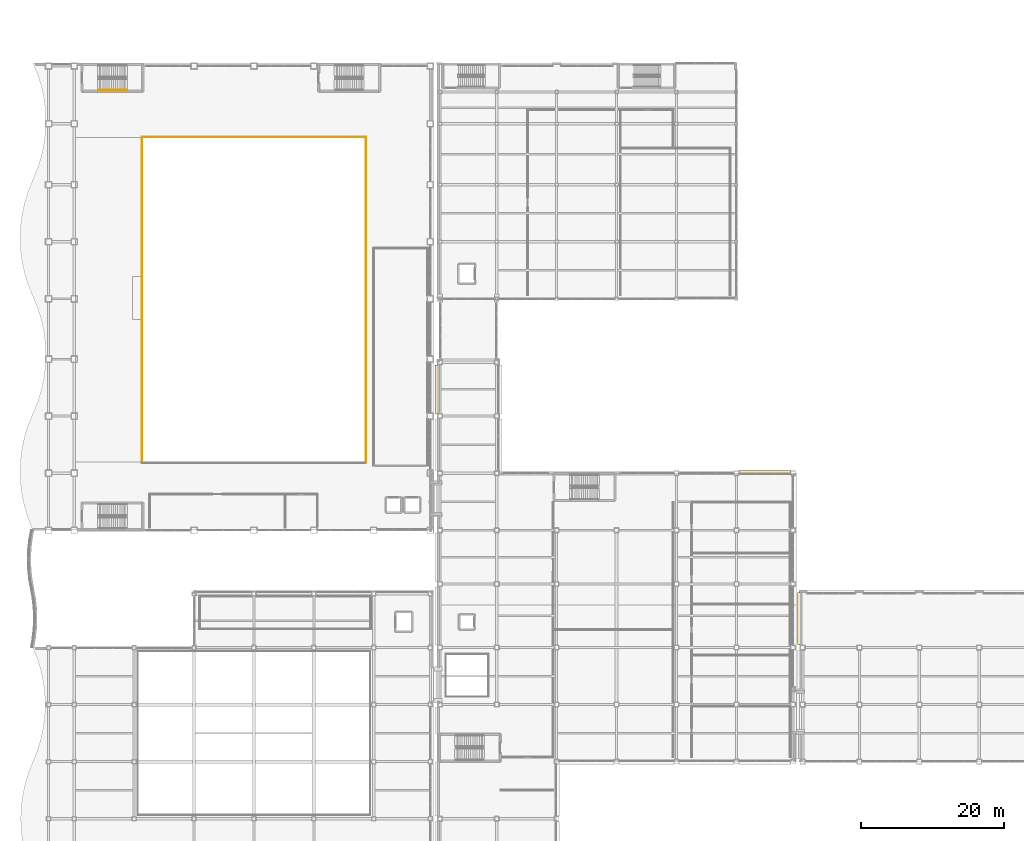
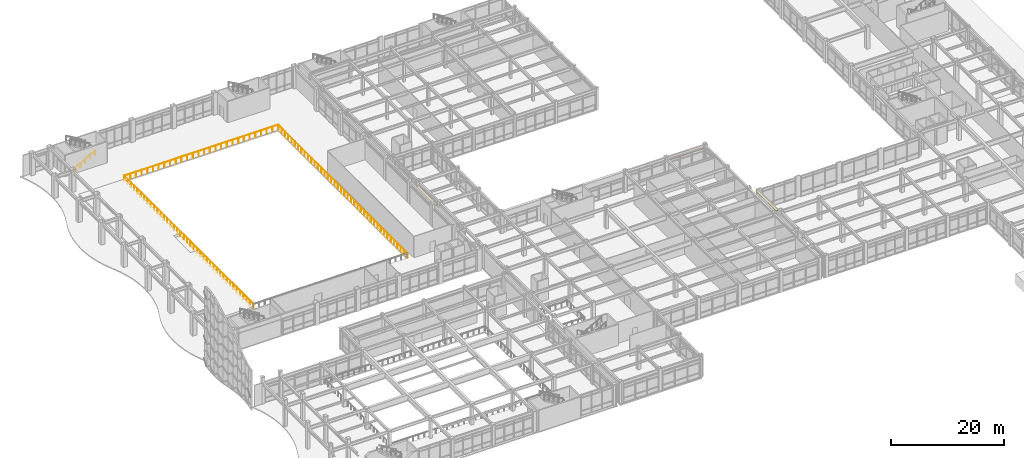
# One storey, part 161 of 172: 4 railings, 3 coverings.
"""IFC4 building model written with IfcOpenShell, lengths in metres."""

import ifcopenshell
import ifcopenshell.guid

model = None  # the IFC model being written
_history = None  # IfcOwnerHistory: only IFC2X3 demands one
_inside = {}  # id of a spatial element -> (the spatial element, [elements in it])
_under = {}  # id of a project, library or spatial element -> (it, [spatial elements below it])
_declared = {}  # id of a project -> (the project, [libraries it declares])
_typed = {}  # id of a type object -> (the type object, [elements of that type])
_made_of = {}  # id of a material, layer set ... -> (it, [elements and type objects made of it])


def new_model(schema):
    """Start an empty IFC model of exactly this schema.

    Asked for "IFC4X3", IfcOpenShell would pick the latest addendum, in which some entities
    have other attributes; the version numbers below select the first issue.
    IFC2X3 requires an IfcOwnerHistory on every rooted entity: one is made here for all.
    """
    global model, _history
    if schema == "IFC4X3":
        model = ifcopenshell.file(schema_version=(4, 3, 0, 0))
    else:
        model = ifcopenshell.file(schema=schema)
    _inside.clear()
    _under.clear()
    _declared.clear()
    _typed.clear()
    _made_of.clear()
    _history = None
    if model.schema == "IFC2X3":
        org = make("IfcOrganization", Name="unknown")
        user = make(
            "IfcPersonAndOrganization",
            ThePerson=make("IfcPerson", FamilyName="unknown"),
            TheOrganization=org,
        )
        app = make(
            "IfcApplication",
            ApplicationDeveloper=org,
            Version="unknown",
            ApplicationFullName="unknown",
            ApplicationIdentifier="unknown",
        )
        _history = make(
            "IfcOwnerHistory",
            OwningUser=user,
            OwningApplication=app,
            ChangeAction="ADDED",
            CreationDate=0,
        )
    return model


def make(cls, **values):
    """One entity of the class cls with the attributes given. An attribute that is None is left unset."""
    return model.create_entity(
        cls, **{name: value for name, value in values.items() if value is not None}
    )


def rooted(cls, **values):
    """An entity with a GlobalId (a new one), such as an element, a storey or a relation."""
    return make(cls, GlobalId=ifcopenshell.guid.new(), OwnerHistory=_history, **values)


def si_unit(unit_type, name, prefix=None):
    """IfcSIUnit, for example si_unit("LENGTHUNIT", "METRE", prefix="MILLI")."""
    return make("IfcSIUnit", UnitType=unit_type, Prefix=prefix, Name=name)


def assignment(units):
    """IfcUnitAssignment: the units of a project."""
    return None if units is None else make("IfcUnitAssignment", Units=units)


def point(xyz):
    """IfcCartesianPoint."""
    return None if xyz is None else make("IfcCartesianPoint", Coordinates=xyz)


def direction(xyz):
    """IfcDirection."""
    return None if xyz is None else make("IfcDirection", DirectionRatios=xyz)


def frame(location, z_axis=None, x_axis=None):
    """IfcAxis2Placement3D, a coordinate frame: its origin and axes. An axis left out is left unset."""
    return make(
        "IfcAxis2Placement3D",
        Location=point(location),
        Axis=direction(z_axis),
        RefDirection=direction(x_axis),
    )


def frame_2d(location, x_axis=None):
    """IfcAxis2Placement2D, a coordinate frame in the plane: its origin and x axis."""
    return make(
        "IfcAxis2Placement2D", Location=point(location), RefDirection=direction(x_axis)
    )


def origin():
    """The frame at (0, 0, 0) with its axes left unset."""
    return frame((0.0, 0.0, 0.0))


def origin_2d():
    """The frame at (0, 0) in the plane with its x axis left unset."""
    return frame_2d((0.0, 0.0))


def place(relative_to, where):
    """IfcLocalPlacement: puts the frame where relative to a parent placement (None: the world)."""
    return make(
        "IfcLocalPlacement", PlacementRelTo=relative_to, RelativePlacement=where
    )


def context(
    kind, dimensions, precision=None, world=None, true_north=None, identifier=None
):
    """IfcGeometricRepresentationContext, for example the 3D "Model" context."""
    return make(
        "IfcGeometricRepresentationContext",
        ContextIdentifier=identifier,
        ContextType=kind,
        CoordinateSpaceDimension=dimensions,
        Precision=precision,
        WorldCoordinateSystem=world,
        TrueNorth=true_north,
    )


def subcontext(parent, identifier, kind, view, scale=None):
    """IfcGeometricRepresentationSubContext, for example "Body" below "Model"."""
    return make(
        "IfcGeometricRepresentationSubContext",
        ContextIdentifier=identifier,
        ContextType=kind,
        ParentContext=parent,
        TargetScale=scale,
        TargetView=view,
    )


def project(units=None, contexts=None):
    """IfcProject with its units and contexts."""
    return rooted(
        "IfcProject",
        Name="project",
        RepresentationContexts=contexts,
        UnitsInContext=assignment(units),
    )


def spatial(cls, under=None, at=None, **own):
    """A site, building, storey or space (cls), placed at a placement, below another one or the project."""
    s = rooted(cls, ObjectPlacement=at, **own)
    if under is not None:
        _under.setdefault(under.id(), (under, []))[1].append(s)
    return s


def profile(cls, at=None, kind="AREA", **sizes):
    """A parametric profile (cls). Its sizes go by their IFC names, for example OverallWidth=200.0."""
    return make(cls, ProfileType=kind, Position=at, **sizes)


def rectangle(**sizes):
    """IfcRectangleProfileDef."""
    return profile("IfcRectangleProfileDef", **sizes)


def circle(**sizes):
    """IfcCircleProfileDef."""
    return profile("IfcCircleProfileDef", **sizes)


def extrude(swept, where, along, depth):
    """IfcExtrudedAreaSolid: the profile swept, set in the frame where, extruded along a direction by depth."""
    return make(
        "IfcExtrudedAreaSolid",
        SweptArea=swept,
        Position=where,
        ExtrudedDirection=direction(along),
        Depth=depth,
    )


def shape(context_of_items, identifier, shape_type, items):
    """IfcShapeRepresentation: the items that make up one representation, for example the "Body"."""
    return make(
        "IfcShapeRepresentation",
        ContextOfItems=context_of_items,
        RepresentationIdentifier=identifier,
        RepresentationType=shape_type,
        Items=items,
    )


def material(Name=None, Category=None):
    """IfcMaterial."""
    return make("IfcMaterial", Name=Name, Category=Category)


def layer(
    of_material, thickness, ventilated=None, Name=None, Category=None, Priority=None
):
    """IfcMaterialLayer: one layer of a wall or slab, of a material (None: an air gap)."""
    return make(
        "IfcMaterialLayer",
        Material=of_material,
        LayerThickness=thickness,
        IsVentilated=ventilated,
        Name=Name,
        Category=Category,
        Priority=Priority,
    )


def layer_set(layers, Name=None):
    """IfcMaterialLayerSet."""
    return make("IfcMaterialLayerSet", MaterialLayers=layers, LayerSetName=Name)


def made_of(thing, what):
    """Note that an element or type object is made of a material, layer set ...; save() writes the relation."""
    if what is not None:
        _made_of.setdefault(what.id(), (what, []))[1].append(thing)
    return thing


def type_object(cls, material=None, **own):
    """A type object (cls), such as IfcWallType, which elements share."""
    return made_of(rooted(cls, **own), material)


def element(
    cls,
    number,
    at=None,
    inside=None,
    cuts=None,
    type_object=None,
    material=None,
    context=None,
    identifier="Body",
    shape_type=None,
    held_by="IfcProductDefinitionShape",
    body=None,
    shapes=None,
    **own,
):
    """One element of the class cls, such as IfcWall. Its Tag is "e" and its number.

    at: its placement. inside: the storey or other place that contains it. cuts: it is an
    opening in that element (IfcRelVoidsElement). A single representation is given by context,
    identifier, shape_type and body (its items); several are given by shapes. held_by: the class
    of the entity that holds the representations. save() writes the other relations.
    """
    e = rooted(cls, Tag="e%d" % number, ObjectPlacement=at, **own)
    if body is not None:
        shapes = [shape(context, identifier, shape_type, body)]
    if shapes is not None:
        e.Representation = make(held_by, Representations=shapes)
    if inside is not None:
        _inside.setdefault(inside.id(), (inside, []))[1].append(e)
    if cuts is not None:
        rooted(
            "IfcRelVoidsElement", RelatingBuildingElement=cuts, RelatedOpeningElement=e
        )
    if type_object is not None:
        _typed.setdefault(type_object.id(), (type_object, []))[1].append(e)
    return made_of(e, material)


def aggregate(whole, parts):
    """IfcRelAggregates: a whole, such as a stair, and the parts it consists of."""
    return rooted("IfcRelAggregates", RelatingObject=whole, RelatedObjects=parts)


def save(model, path):
    """Write the relations noted so far, then the file.

    IfcRelAggregates (storeys below a building ...), IfcRelContainedInSpatialStructure (elements
    in a storey), IfcRelDefinesByType, IfcRelAssociatesMaterial and IfcRelDeclares: one each for
    every whole, place, type object, material and project.
    """
    for whole, parts in _under.values():
        aggregate(whole, parts)
    for where, things in _inside.values():
        rooted(
            "IfcRelContainedInSpatialStructure",
            RelatedElements=things,
            RelatingStructure=where,
        )
    for kind, things in _typed.values():
        rooted("IfcRelDefinesByType", RelatedObjects=things, RelatingType=kind)
    for what, things in _made_of.values():
        rooted("IfcRelAssociatesMaterial", RelatedObjects=things, RelatingMaterial=what)
    for by, libraries in _declared.values():
        rooted("IfcRelDeclares", RelatingContext=by, RelatedDefinitions=libraries)
    model.write(path)


model = new_model("IFC4")

# Units and contexts
model_context = context("Model", 3, precision=1e-05, world=origin(), true_north=direction((0.0, 1.0)))
body_context = subcontext(model_context, "Body", "Model", "MODEL_VIEW")
ifc_project = project(units=[si_unit("LENGTHUNIT", "METRE"), si_unit("AREAUNIT", "SQUARE_METRE"), si_unit("VOLUMEUNIT", "CUBIC_METRE"), si_unit("PLANEANGLEUNIT", "RADIAN"), si_unit("MASSUNIT", "GRAM", prefix="KILO")], contexts=[model_context])

# Site, building, storey
site_placement = place(None, origin())
site = spatial("IfcSite", under=ifc_project, at=site_placement, CompositionType="ELEMENT")
building_placement = place(site_placement, origin())
building = spatial("IfcBuilding", under=site, at=building_placement, Name="Kazehara Bluff Congress Hotel", CompositionType="ELEMENT")
storey_placement = place(building_placement, frame((0.0, 0.0, 5.39990234375)))
storey = spatial("IfcBuildingStorey", under=building, at=storey_placement, Name="L01", CompositionType="ELEMENT", Elevation=5.39990234375)

# Coverings
ifc_material_1 = material(Name="Anodised aluminium architectural brise-soleil", Category="aluminium")
ifc_layer = layer(ifc_material_1, 0.10009765625)
ifc_layer_set = layer_set([ifc_layer], Name="Anodised aluminium architectural brise-soleil")
covering_type = type_object("IfcCoveringType", Name="TP-FAC-FIN", PredefinedType="CLADDING", material=ifc_layer_set)
covering_1_placement = place(storey_placement, frame((105.22509765625, 56.590087890625, 3.705078125), z_axis=(0.0, 0.0, 1.0), x_axis=(1.0, 0.0, 0.0)))
element("IfcCovering", 1, at=covering_1_placement, inside=storey, type_object=covering_type, Name="L01 V4 architectural sun-hood 44", PredefinedType="CLADDING", context=body_context, shape_type="SweptSolid", body=[
    extrude(rectangle(XDim=7.199951171875, YDim=0.52001953125, at=origin_2d()), origin(), (0.0, 0.0, 1.0), 0.10009765625),
])
covering_2_placement = place(storey_placement, frame((59.22998046875, 68.22509765625, 3.705078125), z_axis=(0.0, 0.0, 1.0), x_axis=(1.0, 0.0, 0.0)))
element("IfcCovering", 2, at=covering_2_placement, inside=storey, type_object=covering_type, Name="L01 V4 architectural sun-hood 48", PredefinedType="CLADDING", context=body_context, shape_type="SweptSolid", body=[
    extrude(rectangle(XDim=0.52001953125, YDim=6.800048828125, at=origin_2d()), origin(), (0.0, 0.0, 1.0), 0.10009765625),
])
covering_3_placement = place(storey_placement, frame((110.080078125, 36.050048828125, 4.364990234375), z_axis=(0.0, 0.0, 1.0), x_axis=(1.0, 0.0, 0.0)))
element("IfcCovering", 3, at=covering_3_placement, inside=storey, type_object=covering_type, Name="L01 V5 architectural sun-hood 79", PredefinedType="CLADDING", context=body_context, shape_type="SweptSolid", body=[
    extrude(rectangle(XDim=0.52001953125, YDim=7.300048828125, at=origin_2d()), origin(), (0.0, 0.0, 1.0), 0.10009765625),
])

# Railings
ifc_material_2 = material(Name="Brushed stainless steel", Category="steel")
railing_type_1 = type_object("IfcRailingType", Name="TP-GRD-INT", PredefinedType="GUARDRAIL", material=ifc_material_2)
railing_1_placement = place(storey_placement, frame((49.300048828125, 57.89990234375, 0.0)))
element("IfcRailing", 4, at=railing_1_placement, inside=storey, type_object=railing_type_1, Name="L01 V1-VOID void guardrail E", PredefinedType="GUARDRAIL", context=body_context, shape_type="SweptSolid", body=[
    extrude(circle(Radius=0.02392578125, at=origin_2d()), frame((0.0, 0.0, 1.076171875), z_axis=(0.0, 1.0, 0.0), x_axis=(-1.0, 0.0, 0.0)), (0.0, 0.0, 1.0), 45.6201171875),
    extrude(circle(Radius=0.02099609375, at=origin_2d()), origin(), (0.0, 0.0, 1.0), 1.052001953125),
    extrude(circle(Radius=0.02099609375, at=origin_2d()), frame((0.0, 1.169677734375, 0.0)), (0.0, 0.0, 1.0), 1.052001953125),
    extrude(circle(Radius=0.02099609375, at=origin_2d()), frame((0.0, 2.339599609375, 0.0)), (0.0, 0.0, 1.0), 1.052001953125),
    extrude(circle(Radius=0.02099609375, at=origin_2d()), frame((0.0, 3.50927734375, 0.0)), (0.0, 0.0, 1.0), 1.052001953125),
    extrude(circle(Radius=0.02099609375, at=origin_2d()), frame((0.0, 4.678955078125, 0.0)), (0.0, 0.0, 1.0), 1.052001953125),
    extrude(circle(Radius=0.02099609375, at=origin_2d()), frame((0.0, 5.8486328125, 0.0)), (0.0, 0.0, 1.0), 1.052001953125),
    extrude(circle(Radius=0.02099609375, at=origin_2d()), frame((0.0, 7.0185546875, 0.0)), (0.0, 0.0, 1.0), 1.052001953125),
    extrude(circle(Radius=0.02099609375, at=origin_2d()), frame((0.0, 8.188232421875, 0.0)), (0.0, 0.0, 1.0), 1.052001953125),
    extrude(circle(Radius=0.02099609375, at=origin_2d()), frame((0.0, 9.35791015625, 0.0)), (0.0, 0.0, 1.0), 1.052001953125),
    extrude(circle(Radius=0.02099609375, at=origin_2d()), frame((0.0, 10.52783203125, 0.0)), (0.0, 0.0, 1.0), 1.052001953125),
    extrude(circle(Radius=0.02099609375, at=origin_2d()), frame((0.0, 11.697509765625, 0.0)), (0.0, 0.0, 1.0), 1.052001953125),
    extrude(circle(Radius=0.02099609375, at=origin_2d()), frame((0.0, 12.8671875, 0.0)), (0.0, 0.0, 1.0), 1.052001953125),
    extrude(circle(Radius=0.02099609375, at=origin_2d()), frame((0.0, 14.036865234375, 0.0)), (0.0, 0.0, 1.0), 1.052001953125),
    extrude(circle(Radius=0.02099609375, at=origin_2d()), frame((0.0, 15.206787109375, 0.0)), (0.0, 0.0, 1.0), 1.052001953125),
    extrude(circle(Radius=0.02099609375, at=origin_2d()), frame((0.0, 16.37646484375, 0.0)), (0.0, 0.0, 1.0), 1.052001953125),
    extrude(circle(Radius=0.02099609375, at=origin_2d()), frame((0.0, 17.546142578125, 0.0)), (0.0, 0.0, 1.0), 1.052001953125),
    extrude(circle(Radius=0.02099609375, at=origin_2d()), frame((0.0, 18.716064453125, 0.0)), (0.0, 0.0, 1.0), 1.052001953125),
    extrude(circle(Radius=0.02099609375, at=origin_2d()), frame((0.0, 19.8857421875, 0.0)), (0.0, 0.0, 1.0), 1.052001953125),
    extrude(circle(Radius=0.02099609375, at=origin_2d()), frame((0.0, 21.055419921875, 0.0)), (0.0, 0.0, 1.0), 1.052001953125),
    extrude(circle(Radius=0.02099609375, at=origin_2d()), frame((0.0, 22.22509765625, 0.0)), (0.0, 0.0, 1.0), 1.052001953125),
    extrude(circle(Radius=0.02099609375, at=origin_2d()), frame((0.0, 23.39501953125, 0.0)), (0.0, 0.0, 1.0), 1.052001953125),
    extrude(circle(Radius=0.02099609375, at=origin_2d()), frame((0.0, 24.564697265625, 0.0)), (0.0, 0.0, 1.0), 1.052001953125),
    extrude(circle(Radius=0.02099609375, at=origin_2d()), frame((0.0, 25.734375, 0.0)), (0.0, 0.0, 1.0), 1.052001953125),
    extrude(circle(Radius=0.02099609375, at=origin_2d()), frame((0.0, 26.904052734375, 0.0)), (0.0, 0.0, 1.0), 1.052001953125),
    extrude(circle(Radius=0.02099609375, at=origin_2d()), frame((0.0, 28.073974609375, 0.0)), (0.0, 0.0, 1.0), 1.052001953125),
    extrude(circle(Radius=0.02099609375, at=origin_2d()), frame((0.0, 29.24365234375, 0.0)), (0.0, 0.0, 1.0), 1.052001953125),
    extrude(circle(Radius=0.02099609375, at=origin_2d()), frame((0.0, 30.413330078125, 0.0)), (0.0, 0.0, 1.0), 1.052001953125),
    extrude(circle(Radius=0.02099609375, at=origin_2d()), frame((0.0, 31.583251953125, 0.0)), (0.0, 0.0, 1.0), 1.052001953125),
    extrude(circle(Radius=0.02099609375, at=origin_2d()), frame((0.0, 32.7529296875, 0.0)), (0.0, 0.0, 1.0), 1.052001953125),
    extrude(circle(Radius=0.02099609375, at=origin_2d()), frame((0.0, 33.922607421875, 0.0)), (0.0, 0.0, 1.0), 1.052001953125),
    extrude(circle(Radius=0.02099609375, at=origin_2d()), frame((0.0, 35.09228515625, 0.0)), (0.0, 0.0, 1.0), 1.052001953125),
    extrude(circle(Radius=0.02099609375, at=origin_2d()), frame((0.0, 36.26220703125, 0.0)), (0.0, 0.0, 1.0), 1.052001953125),
    extrude(circle(Radius=0.02099609375, at=origin_2d()), frame((0.0, 37.431884765625, 0.0)), (0.0, 0.0, 1.0), 1.052001953125),
    extrude(circle(Radius=0.02099609375, at=origin_2d()), frame((0.0, 38.6015625, 0.0)), (0.0, 0.0, 1.0), 1.052001953125),
    extrude(circle(Radius=0.02099609375, at=origin_2d()), frame((0.0, 39.771484375, 0.0)), (0.0, 0.0, 1.0), 1.052001953125),
    extrude(circle(Radius=0.02099609375, at=origin_2d()), frame((0.0, 40.941162109375, 0.0)), (0.0, 0.0, 1.0), 1.052001953125),
    extrude(circle(Radius=0.02099609375, at=origin_2d()), frame((0.0, 42.11083984375, 0.0)), (0.0, 0.0, 1.0), 1.052001953125),
    extrude(circle(Radius=0.02099609375, at=origin_2d()), frame((0.0, 43.280517578125, 0.0)), (0.0, 0.0, 1.0), 1.052001953125),
    extrude(circle(Radius=0.02099609375, at=origin_2d()), frame((0.0, 44.450439453125, 0.0)), (0.0, 0.0, 1.0), 1.052001953125),
    extrude(circle(Radius=0.02099609375, at=origin_2d()), frame((0.0, 45.6201171875, 0.0)), (0.0, 0.0, 1.0), 1.052001953125),
])
railing_2_placement = place(storey_placement, frame((49.300048828125, 103.60009765625, 0.0)))
element("IfcRailing", 5, at=railing_2_placement, inside=storey, type_object=railing_type_1, Name="L01 V1-VOID void guardrail N", PredefinedType="GUARDRAIL", context=body_context, shape_type="SweptSolid", body=[
    extrude(circle(Radius=0.02392578125, at=origin_2d()), frame((0.0, 0.0, 1.076171875), z_axis=(-1.0, 0.0, 0.0), x_axis=(0.0, -1.0, 0.0)), (0.0, 0.0, 1.0), 31.320068359375),
    extrude(circle(Radius=0.02099609375, at=origin_2d()), origin(), (0.0, 0.0, 1.0), 1.052001953125),
    extrude(circle(Radius=0.02099609375, at=origin_2d()), frame((-1.159912109375, 0.0, 0.0)), (0.0, 0.0, 1.0), 1.052001953125),
    extrude(circle(Radius=0.02099609375, at=origin_2d()), frame((-2.320068359375, 0.0, 0.0)), (0.0, 0.0, 1.0), 1.052001953125),
    extrude(circle(Radius=0.02099609375, at=origin_2d()), frame((-3.47998046875, 0.0, 0.0)), (0.0, 0.0, 1.0), 1.052001953125),
    extrude(circle(Radius=0.02099609375, at=origin_2d()), frame((-4.639892578125, 0.0, 0.0)), (0.0, 0.0, 1.0), 1.052001953125),
    extrude(circle(Radius=0.02099609375, at=origin_2d()), frame((-5.800048828125, 0.0, 0.0)), (0.0, 0.0, 1.0), 1.052001953125),
    extrude(circle(Radius=0.02099609375, at=origin_2d()), frame((-6.9599609375, 0.0, 0.0)), (0.0, 0.0, 1.0), 1.052001953125),
    extrude(circle(Radius=0.02099609375, at=origin_2d()), frame((-8.1201171875, 0.0, 0.0)), (0.0, 0.0, 1.0), 1.052001953125),
    extrude(circle(Radius=0.02099609375, at=origin_2d()), frame((-9.280029296875, 0.0, 0.0)), (0.0, 0.0, 1.0), 1.052001953125),
    extrude(circle(Radius=0.02099609375, at=origin_2d()), frame((-10.43994140625, 0.0, 0.0)), (0.0, 0.0, 1.0), 1.052001953125),
    extrude(circle(Radius=0.02099609375, at=origin_2d()), frame((-11.60009765625, 0.0, 0.0)), (0.0, 0.0, 1.0), 1.052001953125),
    extrude(circle(Radius=0.02099609375, at=origin_2d()), frame((-12.760009765625, 0.0, 0.0)), (0.0, 0.0, 1.0), 1.052001953125),
    extrude(circle(Radius=0.02099609375, at=origin_2d()), frame((-13.919921875, 0.0, 0.0)), (0.0, 0.0, 1.0), 1.052001953125),
    extrude(circle(Radius=0.02099609375, at=origin_2d()), frame((-15.080078125, 0.0, 0.0)), (0.0, 0.0, 1.0), 1.052001953125),
    extrude(circle(Radius=0.02099609375, at=origin_2d()), frame((-16.239990234375, 0.0, 0.0)), (0.0, 0.0, 1.0), 1.052001953125),
    extrude(circle(Radius=0.02099609375, at=origin_2d()), frame((-17.400146484375, 0.0, 0.0)), (0.0, 0.0, 1.0), 1.052001953125),
    extrude(circle(Radius=0.02099609375, at=origin_2d()), frame((-18.56005859375, 0.0, 0.0)), (0.0, 0.0, 1.0), 1.052001953125),
    extrude(circle(Radius=0.02099609375, at=origin_2d()), frame((-19.719970703125, 0.0, 0.0)), (0.0, 0.0, 1.0), 1.052001953125),
    extrude(circle(Radius=0.02099609375, at=origin_2d()), frame((-20.880126953125, 0.0, 0.0)), (0.0, 0.0, 1.0), 1.052001953125),
    extrude(circle(Radius=0.02099609375, at=origin_2d()), frame((-22.0400390625, 0.0, 0.0)), (0.0, 0.0, 1.0), 1.052001953125),
    extrude(circle(Radius=0.02099609375, at=origin_2d()), frame((-23.199951171875, 0.0, 0.0)), (0.0, 0.0, 1.0), 1.052001953125),
    extrude(circle(Radius=0.02099609375, at=origin_2d()), frame((-24.360107421875, 0.0, 0.0)), (0.0, 0.0, 1.0), 1.052001953125),
    extrude(circle(Radius=0.02099609375, at=origin_2d()), frame((-25.52001953125, 0.0, 0.0)), (0.0, 0.0, 1.0), 1.052001953125),
    extrude(circle(Radius=0.02099609375, at=origin_2d()), frame((-26.68017578125, 0.0, 0.0)), (0.0, 0.0, 1.0), 1.052001953125),
    extrude(circle(Radius=0.02099609375, at=origin_2d()), frame((-27.840087890625, 0.0, 0.0)), (0.0, 0.0, 1.0), 1.052001953125),
    extrude(circle(Radius=0.02099609375, at=origin_2d()), frame((-29.0, 0.0, 0.0)), (0.0, 0.0, 1.0), 1.052001953125),
    extrude(circle(Radius=0.02099609375, at=origin_2d()), frame((-30.16015625, 0.0, 0.0)), (0.0, 0.0, 1.0), 1.052001953125),
    extrude(circle(Radius=0.02099609375, at=origin_2d()), frame((-31.320068359375, 0.0, 0.0)), (0.0, 0.0, 1.0), 1.052001953125),
])
railing_3_placement = place(storey_placement, frame((17.89990234375, 103.60009765625, 0.0)))
element("IfcRailing", 6, at=railing_3_placement, inside=storey, type_object=railing_type_1, Name="L01 V1-VOID void guardrail W", PredefinedType="GUARDRAIL", context=body_context, shape_type="SweptSolid", body=[
    extrude(circle(Radius=0.02392578125, at=origin_2d()), frame((0.0, 0.0, 1.076171875), z_axis=(0.0, -1.0, 0.0), x_axis=(1.0, 0.0, 0.0)), (0.0, 0.0, 1.0), 45.6201171875),
    extrude(circle(Radius=0.02099609375, at=origin_2d()), origin(), (0.0, 0.0, 1.0), 1.052001953125),
    extrude(circle(Radius=0.02099609375, at=origin_2d()), frame((0.0, -1.169677734375, 0.0)), (0.0, 0.0, 1.0), 1.052001953125),
    extrude(circle(Radius=0.02099609375, at=origin_2d()), frame((0.0, -2.339599609375, 0.0)), (0.0, 0.0, 1.0), 1.052001953125),
    extrude(circle(Radius=0.02099609375, at=origin_2d()), frame((0.0, -3.50927734375, 0.0)), (0.0, 0.0, 1.0), 1.052001953125),
    extrude(circle(Radius=0.02099609375, at=origin_2d()), frame((0.0, -4.678955078125, 0.0)), (0.0, 0.0, 1.0), 1.052001953125),
    extrude(circle(Radius=0.02099609375, at=origin_2d()), frame((0.0, -5.8486328125, 0.0)), (0.0, 0.0, 1.0), 1.052001953125),
    extrude(circle(Radius=0.02099609375, at=origin_2d()), frame((0.0, -7.0185546875, 0.0)), (0.0, 0.0, 1.0), 1.052001953125),
    extrude(circle(Radius=0.02099609375, at=origin_2d()), frame((0.0, -8.188232421875, 0.0)), (0.0, 0.0, 1.0), 1.052001953125),
    extrude(circle(Radius=0.02099609375, at=origin_2d()), frame((0.0, -9.35791015625, 0.0)), (0.0, 0.0, 1.0), 1.052001953125),
    extrude(circle(Radius=0.02099609375, at=origin_2d()), frame((0.0, -10.52783203125, 0.0)), (0.0, 0.0, 1.0), 1.052001953125),
    extrude(circle(Radius=0.02099609375, at=origin_2d()), frame((0.0, -11.697509765625, 0.0)), (0.0, 0.0, 1.0), 1.052001953125),
    extrude(circle(Radius=0.02099609375, at=origin_2d()), frame((0.0, -12.8671875, 0.0)), (0.0, 0.0, 1.0), 1.052001953125),
    extrude(circle(Radius=0.02099609375, at=origin_2d()), frame((0.0, -14.036865234375, 0.0)), (0.0, 0.0, 1.0), 1.052001953125),
    extrude(circle(Radius=0.02099609375, at=origin_2d()), frame((0.0, -15.206787109375, 0.0)), (0.0, 0.0, 1.0), 1.052001953125),
    extrude(circle(Radius=0.02099609375, at=origin_2d()), frame((0.0, -16.37646484375, 0.0)), (0.0, 0.0, 1.0), 1.052001953125),
    extrude(circle(Radius=0.02099609375, at=origin_2d()), frame((0.0, -17.546142578125, 0.0)), (0.0, 0.0, 1.0), 1.052001953125),
    extrude(circle(Radius=0.02099609375, at=origin_2d()), frame((0.0, -18.716064453125, 0.0)), (0.0, 0.0, 1.0), 1.052001953125),
    extrude(circle(Radius=0.02099609375, at=origin_2d()), frame((0.0, -19.8857421875, 0.0)), (0.0, 0.0, 1.0), 1.052001953125),
    extrude(circle(Radius=0.02099609375, at=origin_2d()), frame((0.0, -21.055419921875, 0.0)), (0.0, 0.0, 1.0), 1.052001953125),
    extrude(circle(Radius=0.02099609375, at=origin_2d()), frame((0.0, -22.22509765625, 0.0)), (0.0, 0.0, 1.0), 1.052001953125),
    extrude(circle(Radius=0.02099609375, at=origin_2d()), frame((0.0, -23.39501953125, 0.0)), (0.0, 0.0, 1.0), 1.052001953125),
    extrude(circle(Radius=0.02099609375, at=origin_2d()), frame((0.0, -24.564697265625, 0.0)), (0.0, 0.0, 1.0), 1.052001953125),
    extrude(circle(Radius=0.02099609375, at=origin_2d()), frame((0.0, -25.734375, 0.0)), (0.0, 0.0, 1.0), 1.052001953125),
    extrude(circle(Radius=0.02099609375, at=origin_2d()), frame((0.0, -26.904052734375, 0.0)), (0.0, 0.0, 1.0), 1.052001953125),
    extrude(circle(Radius=0.02099609375, at=origin_2d()), frame((0.0, -28.073974609375, 0.0)), (0.0, 0.0, 1.0), 1.052001953125),
    extrude(circle(Radius=0.02099609375, at=origin_2d()), frame((0.0, -29.24365234375, 0.0)), (0.0, 0.0, 1.0), 1.052001953125),
    extrude(circle(Radius=0.02099609375, at=origin_2d()), frame((0.0, -30.413330078125, 0.0)), (0.0, 0.0, 1.0), 1.052001953125),
    extrude(circle(Radius=0.02099609375, at=origin_2d()), frame((0.0, -31.583251953125, 0.0)), (0.0, 0.0, 1.0), 1.052001953125),
    extrude(circle(Radius=0.02099609375, at=origin_2d()), frame((0.0, -32.7529296875, 0.0)), (0.0, 0.0, 1.0), 1.052001953125),
    extrude(circle(Radius=0.02099609375, at=origin_2d()), frame((0.0, -33.922607421875, 0.0)), (0.0, 0.0, 1.0), 1.052001953125),
    extrude(circle(Radius=0.02099609375, at=origin_2d()), frame((0.0, -35.09228515625, 0.0)), (0.0, 0.0, 1.0), 1.052001953125),
    extrude(circle(Radius=0.02099609375, at=origin_2d()), frame((0.0, -36.26220703125, 0.0)), (0.0, 0.0, 1.0), 1.052001953125),
    extrude(circle(Radius=0.02099609375, at=origin_2d()), frame((0.0, -37.431884765625, 0.0)), (0.0, 0.0, 1.0), 1.052001953125),
    extrude(circle(Radius=0.02099609375, at=origin_2d()), frame((0.0, -38.6015625, 0.0)), (0.0, 0.0, 1.0), 1.052001953125),
    extrude(circle(Radius=0.02099609375, at=origin_2d()), frame((0.0, -39.771484375, 0.0)), (0.0, 0.0, 1.0), 1.052001953125),
    extrude(circle(Radius=0.02099609375, at=origin_2d()), frame((0.0, -40.941162109375, 0.0)), (0.0, 0.0, 1.0), 1.052001953125),
    extrude(circle(Radius=0.02099609375, at=origin_2d()), frame((0.0, -42.11083984375, 0.0)), (0.0, 0.0, 1.0), 1.052001953125),
    extrude(circle(Radius=0.02099609375, at=origin_2d()), frame((0.0, -43.280517578125, 0.0)), (0.0, 0.0, 1.0), 1.052001953125),
    extrude(circle(Radius=0.02099609375, at=origin_2d()), frame((0.0, -44.450439453125, 0.0)), (0.0, 0.0, 1.0), 1.052001953125),
    extrude(circle(Radius=0.02099609375, at=origin_2d()), frame((0.0, -45.6201171875, 0.0)), (0.0, 0.0, 1.0), 1.052001953125),
])
ifc_material_3 = material(Name="Brushed stainless steel", Category="steel")
railing_type_2 = type_object("IfcRailingType", Name="TP-HR-INT", PredefinedType="HANDRAIL", material=ifc_material_3)
railing_4_placement = place(storey_placement, frame((11.800048828125, 110.199951171875, 0.171630859375)))
element("IfcRailing", 7, at=railing_4_placement, inside=storey, type_object=railing_type_2, Name="L01 ST-01 stair handrail 1", PredefinedType="HANDRAIL", context=body_context, shape_type="SweptSolid", body=[
    extrude(circle(Radius=0.02392578125, at=origin_2d()), frame((0.0, 0.0, 0.8759765625), z_axis=(0.868243142124, 0.0, 0.496138938357), x_axis=(0.0, 1.0, 0.0)), (0.0, 0.0, 1.0), 4.49169921875),
    extrude(circle(Radius=0.02099609375, at=origin_2d()), origin(), (0.0, 0.0, 1.0), 0.851806640625),
    extrude(circle(Radius=0.02099609375, at=origin_2d()), frame((0.97509765625, 0.0, 0.55712890625)), (0.0, 0.0, 1.0), 0.851806640625),
    extrude(circle(Radius=0.02099609375, at=origin_2d()), frame((1.949951171875, 0.0, 1.1142578125)), (0.0, 0.0, 1.0), 0.851806640625),
    extrude(circle(Radius=0.02099609375, at=origin_2d()), frame((2.9248046875, 0.0, 1.67138671875)), (0.0, 0.0, 1.0), 0.851806640625),
    extrude(circle(Radius=0.02099609375, at=origin_2d()), frame((3.89990234375, 0.0, 2.228515625)), (0.0, 0.0, 1.0), 0.851806640625),
])

save(model, "model.ifc")
